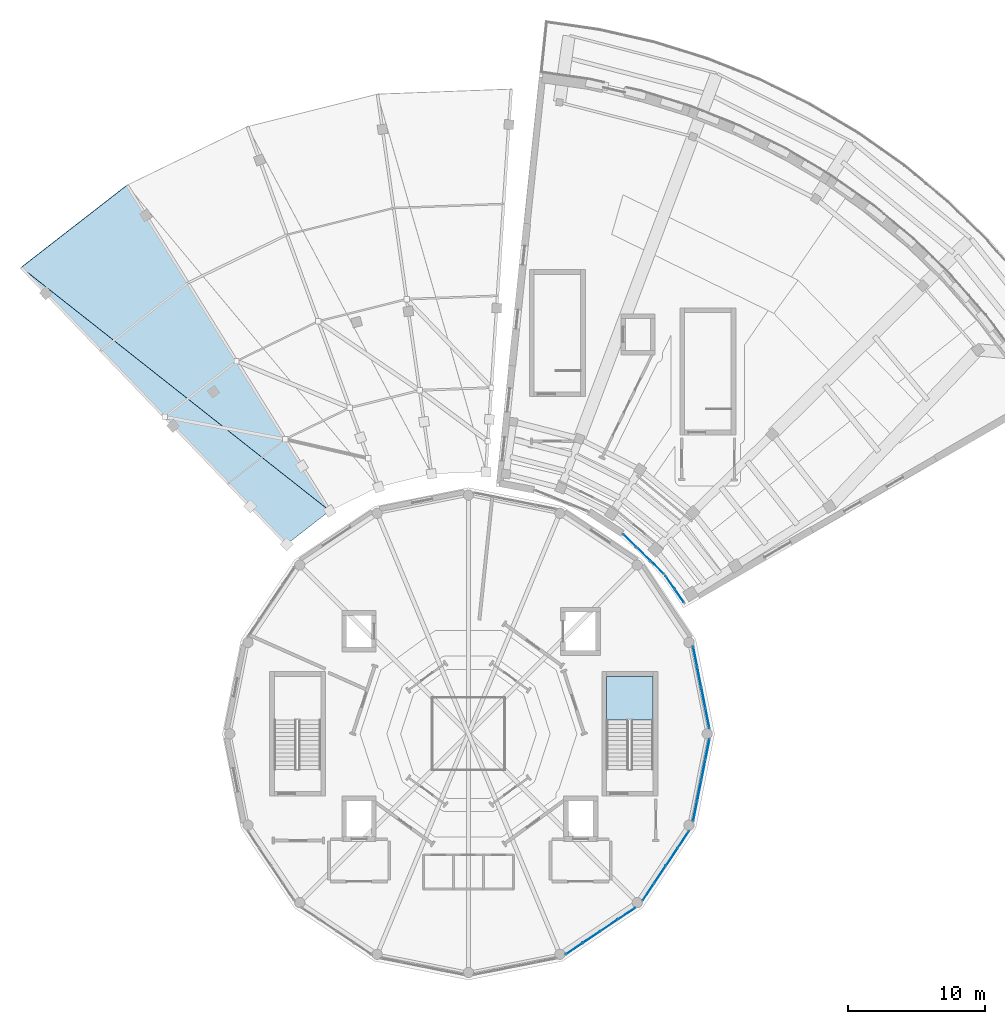
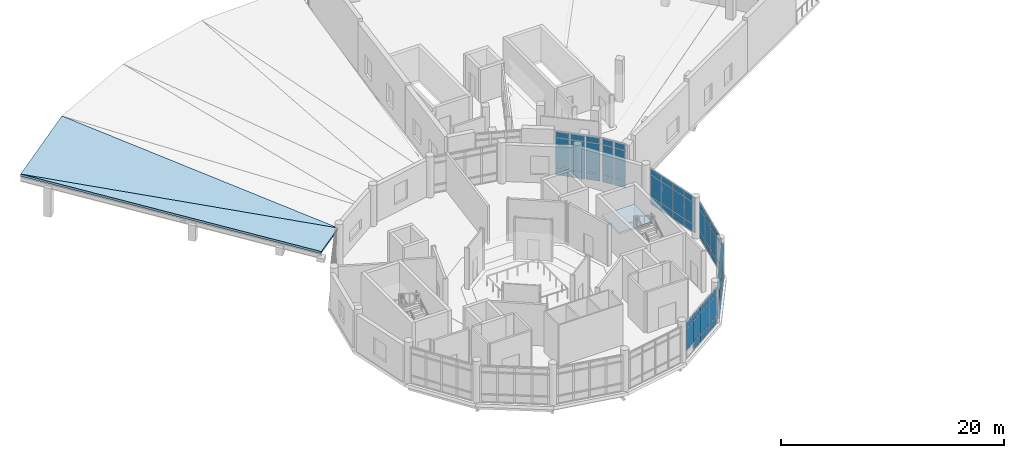
# One storey, part 17 of 27: 62 plates, 3 slabs, 7 elements without a shape of their own.
"""IFC4 building model written with IfcOpenShell, lengths in metres."""

import ifcopenshell
import ifcopenshell.guid

model = None  # the IFC model being written
_history = None  # IfcOwnerHistory: only IFC2X3 demands one
_inside = {}  # id of a spatial element -> (the spatial element, [elements in it])
_under = {}  # id of a project, library or spatial element -> (it, [spatial elements below it])
_declared = {}  # id of a project -> (the project, [libraries it declares])
_typed = {}  # id of a type object -> (the type object, [elements of that type])
_made_of = {}  # id of a material, layer set ... -> (it, [elements and type objects made of it])


def new_model(schema):
    """Start an empty IFC model of exactly this schema.

    Asked for "IFC4X3", IfcOpenShell would pick the latest addendum, in which some entities
    have other attributes; the version numbers below select the first issue.
    IFC2X3 requires an IfcOwnerHistory on every rooted entity: one is made here for all.
    """
    global model, _history
    if schema == "IFC4X3":
        model = ifcopenshell.file(schema_version=(4, 3, 0, 0))
    else:
        model = ifcopenshell.file(schema=schema)
    _inside.clear()
    _under.clear()
    _declared.clear()
    _typed.clear()
    _made_of.clear()
    _history = None
    if model.schema == "IFC2X3":
        org = make("IfcOrganization", Name="unknown")
        user = make(
            "IfcPersonAndOrganization",
            ThePerson=make("IfcPerson", FamilyName="unknown"),
            TheOrganization=org,
        )
        app = make(
            "IfcApplication",
            ApplicationDeveloper=org,
            Version="unknown",
            ApplicationFullName="unknown",
            ApplicationIdentifier="unknown",
        )
        _history = make(
            "IfcOwnerHistory",
            OwningUser=user,
            OwningApplication=app,
            ChangeAction="ADDED",
            CreationDate=0,
        )
    return model


def make(cls, **values):
    """One entity of the class cls with the attributes given. An attribute that is None is left unset."""
    return model.create_entity(
        cls, **{name: value for name, value in values.items() if value is not None}
    )


def rooted(cls, **values):
    """An entity with a GlobalId (a new one), such as an element, a storey or a relation."""
    return make(cls, GlobalId=ifcopenshell.guid.new(), OwnerHistory=_history, **values)


def si_unit(unit_type, name, prefix=None):
    """IfcSIUnit, for example si_unit("LENGTHUNIT", "METRE", prefix="MILLI")."""
    return make("IfcSIUnit", UnitType=unit_type, Prefix=prefix, Name=name)


def assignment(units):
    """IfcUnitAssignment: the units of a project."""
    return None if units is None else make("IfcUnitAssignment", Units=units)


def point(xyz):
    """IfcCartesianPoint."""
    return None if xyz is None else make("IfcCartesianPoint", Coordinates=xyz)


def direction(xyz):
    """IfcDirection."""
    return None if xyz is None else make("IfcDirection", DirectionRatios=xyz)


def frame(location, z_axis=None, x_axis=None):
    """IfcAxis2Placement3D, a coordinate frame: its origin and axes. An axis left out is left unset."""
    return make(
        "IfcAxis2Placement3D",
        Location=point(location),
        Axis=direction(z_axis),
        RefDirection=direction(x_axis),
    )


def frame_2d(location, x_axis=None):
    """IfcAxis2Placement2D, a coordinate frame in the plane: its origin and x axis."""
    return make(
        "IfcAxis2Placement2D", Location=point(location), RefDirection=direction(x_axis)
    )


def origin():
    """The frame at (0, 0, 0) with its axes left unset."""
    return frame((0.0, 0.0, 0.0))


def origin_2d():
    """The frame at (0, 0) in the plane with its x axis left unset."""
    return frame_2d((0.0, 0.0))


def place(relative_to, where):
    """IfcLocalPlacement: puts the frame where relative to a parent placement (None: the world)."""
    return make(
        "IfcLocalPlacement", PlacementRelTo=relative_to, RelativePlacement=where
    )


def context(
    kind, dimensions, precision=None, world=None, true_north=None, identifier=None
):
    """IfcGeometricRepresentationContext, for example the 3D "Model" context."""
    return make(
        "IfcGeometricRepresentationContext",
        ContextIdentifier=identifier,
        ContextType=kind,
        CoordinateSpaceDimension=dimensions,
        Precision=precision,
        WorldCoordinateSystem=world,
        TrueNorth=true_north,
    )


def subcontext(parent, identifier, kind, view, scale=None):
    """IfcGeometricRepresentationSubContext, for example "Body" below "Model"."""
    return make(
        "IfcGeometricRepresentationSubContext",
        ContextIdentifier=identifier,
        ContextType=kind,
        ParentContext=parent,
        TargetScale=scale,
        TargetView=view,
    )


def project(units=None, contexts=None):
    """IfcProject with its units and contexts."""
    return rooted(
        "IfcProject",
        Name="project",
        RepresentationContexts=contexts,
        UnitsInContext=assignment(units),
    )


def spatial(cls, under=None, at=None, **own):
    """A site, building, storey or space (cls), placed at a placement, below another one or the project."""
    s = rooted(cls, ObjectPlacement=at, **own)
    if under is not None:
        _under.setdefault(under.id(), (under, []))[1].append(s)
    return s


def polyline(points):
    """IfcPolyline through the points."""
    return make("IfcPolyline", Points=[point(p) for p in points])


def profile(cls, at=None, kind="AREA", **sizes):
    """A parametric profile (cls). Its sizes go by their IFC names, for example OverallWidth=200.0."""
    return make(cls, ProfileType=kind, Position=at, **sizes)


def rectangle(**sizes):
    """IfcRectangleProfileDef."""
    return profile("IfcRectangleProfileDef", **sizes)


def outline(outer, holes=None, kind="AREA"):
    """IfcArbitraryClosedProfileDef: a profile drawn as a closed curve; with holes, ...WithVoids."""
    if holes is None:
        return make("IfcArbitraryClosedProfileDef", ProfileType=kind, OuterCurve=outer)
    return make(
        "IfcArbitraryProfileDefWithVoids",
        ProfileType=kind,
        OuterCurve=outer,
        InnerCurves=holes,
    )


def extrude(swept, where, along, depth):
    """IfcExtrudedAreaSolid: the profile swept, set in the frame where, extruded along a direction by depth."""
    return make(
        "IfcExtrudedAreaSolid",
        SweptArea=swept,
        Position=where,
        ExtrudedDirection=direction(along),
        Depth=depth,
    )


def shape(context_of_items, identifier, shape_type, items):
    """IfcShapeRepresentation: the items that make up one representation, for example the "Body"."""
    return make(
        "IfcShapeRepresentation",
        ContextOfItems=context_of_items,
        RepresentationIdentifier=identifier,
        RepresentationType=shape_type,
        Items=items,
    )


def material(Name=None, Category=None):
    """IfcMaterial."""
    return make("IfcMaterial", Name=Name, Category=Category)


def layer(
    of_material, thickness, ventilated=None, Name=None, Category=None, Priority=None
):
    """IfcMaterialLayer: one layer of a wall or slab, of a material (None: an air gap)."""
    return make(
        "IfcMaterialLayer",
        Material=of_material,
        LayerThickness=thickness,
        IsVentilated=ventilated,
        Name=Name,
        Category=Category,
        Priority=Priority,
    )


def layer_set(layers, Name=None):
    """IfcMaterialLayerSet."""
    return make("IfcMaterialLayerSet", MaterialLayers=layers, LayerSetName=Name)


def made_of(thing, what):
    """Note that an element or type object is made of a material, layer set ...; save() writes the relation."""
    if what is not None:
        _made_of.setdefault(what.id(), (what, []))[1].append(thing)
    return thing


def type_object(cls, material=None, **own):
    """A type object (cls), such as IfcWallType, which elements share."""
    return made_of(rooted(cls, **own), material)


def element(
    cls,
    number,
    at=None,
    inside=None,
    cuts=None,
    type_object=None,
    material=None,
    context=None,
    identifier="Body",
    shape_type=None,
    held_by="IfcProductDefinitionShape",
    body=None,
    shapes=None,
    **own,
):
    """One element of the class cls, such as IfcWall. Its Tag is "e" and its number.

    at: its placement. inside: the storey or other place that contains it. cuts: it is an
    opening in that element (IfcRelVoidsElement). A single representation is given by context,
    identifier, shape_type and body (its items); several are given by shapes. held_by: the class
    of the entity that holds the representations. save() writes the other relations.
    """
    e = rooted(cls, Tag="e%d" % number, ObjectPlacement=at, **own)
    if body is not None:
        shapes = [shape(context, identifier, shape_type, body)]
    if shapes is not None:
        e.Representation = make(held_by, Representations=shapes)
    if inside is not None:
        _inside.setdefault(inside.id(), (inside, []))[1].append(e)
    if cuts is not None:
        rooted(
            "IfcRelVoidsElement", RelatingBuildingElement=cuts, RelatedOpeningElement=e
        )
    if type_object is not None:
        _typed.setdefault(type_object.id(), (type_object, []))[1].append(e)
    return made_of(e, material)


def aggregate(whole, parts):
    """IfcRelAggregates: a whole, such as a stair, and the parts it consists of."""
    return rooted("IfcRelAggregates", RelatingObject=whole, RelatedObjects=parts)


def save(model, path):
    """Write the relations noted so far, then the file.

    IfcRelAggregates (storeys below a building ...), IfcRelContainedInSpatialStructure (elements
    in a storey), IfcRelDefinesByType, IfcRelAssociatesMaterial and IfcRelDeclares: one each for
    every whole, place, type object, material and project.
    """
    for whole, parts in _under.values():
        aggregate(whole, parts)
    for where, things in _inside.values():
        rooted(
            "IfcRelContainedInSpatialStructure",
            RelatedElements=things,
            RelatingStructure=where,
        )
    for kind, things in _typed.values():
        rooted("IfcRelDefinesByType", RelatedObjects=things, RelatingType=kind)
    for what, things in _made_of.values():
        rooted("IfcRelAssociatesMaterial", RelatedObjects=things, RelatingMaterial=what)
    for by, libraries in _declared.values():
        rooted("IfcRelDeclares", RelatingContext=by, RelatedDefinitions=libraries)
    model.write(path)


model = new_model("IFC4")

# Units and contexts
model_context = context("Model", 3, precision=1e-05, world=origin(), true_north=direction((0.0, 1.0)))
body_context = subcontext(model_context, "Body", "Model", "MODEL_VIEW")
ifc_project = project(units=[si_unit("LENGTHUNIT", "METRE"), si_unit("AREAUNIT", "SQUARE_METRE"), si_unit("VOLUMEUNIT", "CUBIC_METRE"), si_unit("PLANEANGLEUNIT", "RADIAN"), si_unit("MASSUNIT", "GRAM", prefix="KILO")], contexts=[model_context])

# Site, building, storey
site_placement = place(None, origin())
site = spatial("IfcSite", under=ifc_project, at=site_placement, CompositionType="ELEMENT")
building_placement = place(site_placement, origin())
building = spatial("IfcBuilding", under=site, at=building_placement, Name="Soyqirgoq Riverine Aquarium", CompositionType="ELEMENT")
storey_placement = place(building_placement, frame((0.0, 0.0, 19.800048828125)))
storey = spatial("IfcBuildingStorey", under=building, at=storey_placement, Name="L05", CompositionType="ELEMENT", Elevation=19.800048828125)

# Curtain wall, plates
ifc_material_1 = material(Name="Anodised aluminium thermally broken triple low-E glazing", Category="aluminium")
curtain_wall_type_1 = type_object("IfcCurtainWallType", Name="CW_DrumGallery_Unitised", PredefinedType="NOTDEFINED", material=ifc_material_1)
curtain_wall_1_placement = place(storey_placement, origin())
curtain_wall_1 = element("IfcCurtainWall", 1, at=curtain_wall_1_placement, inside=storey, type_object=curtain_wall_type_1, Name="V1 L05 Curtain Wall 005", PredefinedType="NOTDEFINED")
ifc_material_2 = material(Name="Triple insulated laminated low-E glass", Category="glass")
ifc_layer_1 = layer(ifc_material_2, 0.0458984375)
ifc_layer_set_1 = layer_set([ifc_layer_1], Name="Triple insulated laminated low-E glass")
plate_type = type_object("IfcPlateType", Name="CWGlazedPanel_46", PredefinedType="CURTAIN_PANEL", material=ifc_layer_set_1)
plate_1_placement = place(storey_placement, frame((73.47607421875, 58.126220703125, 0.074951171875), z_axis=(0.0, 0.0, 1.0), x_axis=(-0.19507834152, 0.980787663396, 0.0)))
plate_1 = element("IfcPlate", 2, at=plate_1_placement, type_object=plate_type, Name="CW-01 panel 1.1", PredefinedType="CURTAIN_PANEL", context=body_context, shape_type="SweptSolid", body=[
    extrude(rectangle(XDim=1.449951171875, YDim=0.0458984375, at=origin_2d()), origin(), (0.0, 0.0, 1.0), 0.78759765625),
])
plate_2_placement = place(storey_placement, frame((73.47607421875, 58.126220703125, 0.9375), z_axis=(0.0, 0.0, 1.0), x_axis=(-0.19507834152, 0.980787663396, 0.0)))
plate_2 = element("IfcPlate", 3, at=plate_2_placement, type_object=plate_type, Name="CW-01 panel 1.2", PredefinedType="CURTAIN_PANEL", context=body_context, shape_type="SweptSolid", body=[
    extrude(rectangle(XDim=1.449951171875, YDim=0.0458984375, at=origin_2d()), origin(), (0.0, 0.0, 1.0), 2.324951171875),
])
plate_3_placement = place(storey_placement, frame((73.47607421875, 58.126220703125, 3.33740234375), z_axis=(0.0, 0.0, 1.0), x_axis=(-0.19507834152, 0.980787663396, 0.0)))
plate_3 = element("IfcPlate", 4, at=plate_3_placement, type_object=plate_type, Name="CW-01 panel 1.3", PredefinedType="CURTAIN_PANEL", context=body_context, shape_type="SweptSolid", body=[
    extrude(rectangle(XDim=1.449951171875, YDim=0.0458984375, at=origin_2d()), origin(), (0.0, 0.0, 1.0), 0.58740234375),
])
plate_4_placement = place(storey_placement, frame((73.17724609375, 59.6279296875, 0.074951171875), z_axis=(0.0, 0.0, 1.0), x_axis=(-0.19507834152, 0.980787663396, 0.0)))
plate_4 = element("IfcPlate", 5, at=plate_4_placement, type_object=plate_type, Name="CW-01 panel 2.1", PredefinedType="CURTAIN_PANEL", context=body_context, shape_type="SweptSolid", body=[
    extrude(rectangle(XDim=1.482421875, YDim=0.0458984375, at=origin_2d()), origin(), (0.0, 0.0, 1.0), 0.78759765625),
])
plate_5_placement = place(storey_placement, frame((73.17724609375, 59.6279296875, 0.9375), z_axis=(0.0, 0.0, 1.0), x_axis=(-0.19507834152, 0.980787663396, 0.0)))
plate_5 = element("IfcPlate", 6, at=plate_5_placement, type_object=plate_type, Name="CW-01 panel 2.2", PredefinedType="CURTAIN_PANEL", context=body_context, shape_type="SweptSolid", body=[
    extrude(rectangle(XDim=1.482421875, YDim=0.0458984375, at=origin_2d()), origin(), (0.0, 0.0, 1.0), 2.324951171875),
])
plate_6_placement = place(storey_placement, frame((73.17724609375, 59.6279296875, 3.33740234375), z_axis=(0.0, 0.0, 1.0), x_axis=(-0.19507834152, 0.980787663396, 0.0)))
plate_6 = element("IfcPlate", 7, at=plate_6_placement, type_object=plate_type, Name="CW-01 panel 2.3", PredefinedType="CURTAIN_PANEL", context=body_context, shape_type="SweptSolid", body=[
    extrude(rectangle(XDim=1.482421875, YDim=0.0458984375, at=origin_2d()), origin(), (0.0, 0.0, 1.0), 0.58740234375),
])
plate_7_placement = place(storey_placement, frame((72.87548828125, 61.1455078125, 0.074951171875), z_axis=(0.0, 0.0, 1.0), x_axis=(-0.19507834152, 0.980787663396, 0.0)))
plate_7 = element("IfcPlate", 8, at=plate_7_placement, type_object=plate_type, Name="CW-01 panel 3.1", PredefinedType="CURTAIN_PANEL", context=body_context, shape_type="SweptSolid", body=[
    extrude(rectangle(XDim=1.482421875, YDim=0.0458984375, at=origin_2d()), origin(), (0.0, 0.0, 1.0), 0.78759765625),
])
plate_8_placement = place(storey_placement, frame((72.87548828125, 61.1455078125, 0.9375), z_axis=(0.0, 0.0, 1.0), x_axis=(-0.19507834152, 0.980787663396, 0.0)))
plate_8 = element("IfcPlate", 9, at=plate_8_placement, type_object=plate_type, Name="CW-01 panel 3.2", PredefinedType="CURTAIN_PANEL", context=body_context, shape_type="SweptSolid", body=[
    extrude(rectangle(XDim=1.482421875, YDim=0.0458984375, at=origin_2d()), origin(), (0.0, 0.0, 1.0), 2.324951171875),
])
plate_9_placement = place(storey_placement, frame((72.87548828125, 61.1455078125, 3.33740234375), z_axis=(0.0, 0.0, 1.0), x_axis=(-0.19507834152, 0.980787663396, 0.0)))
plate_9 = element("IfcPlate", 10, at=plate_9_placement, type_object=plate_type, Name="CW-01 panel 3.3", PredefinedType="CURTAIN_PANEL", context=body_context, shape_type="SweptSolid", body=[
    extrude(rectangle(XDim=1.482421875, YDim=0.0458984375, at=origin_2d()), origin(), (0.0, 0.0, 1.0), 0.58740234375),
])
plate_10_placement = place(storey_placement, frame((72.57666015625, 62.6474609375, 0.074951171875), z_axis=(0.0, 0.0, 1.0), x_axis=(-0.19507834152, 0.980787663396, 0.0)))
plate_10 = element("IfcPlate", 11, at=plate_10_placement, type_object=plate_type, Name="CW-01 panel 4.1", PredefinedType="CURTAIN_PANEL", context=body_context, shape_type="SweptSolid", body=[
    extrude(rectangle(XDim=1.449951171875, YDim=0.0458984375, at=origin_2d()), origin(), (0.0, 0.0, 1.0), 0.78759765625),
])
plate_11_placement = place(storey_placement, frame((72.57666015625, 62.6474609375, 0.9375), z_axis=(0.0, 0.0, 1.0), x_axis=(-0.19507834152, 0.980787663396, 0.0)))
plate_11 = element("IfcPlate", 12, at=plate_11_placement, type_object=plate_type, Name="CW-01 panel 4.2", PredefinedType="CURTAIN_PANEL", context=body_context, shape_type="SweptSolid", body=[
    extrude(rectangle(XDim=1.449951171875, YDim=0.0458984375, at=origin_2d()), origin(), (0.0, 0.0, 1.0), 2.324951171875),
])
plate_12_placement = place(storey_placement, frame((72.57666015625, 62.6474609375, 3.33740234375), z_axis=(0.0, 0.0, 1.0), x_axis=(-0.19507834152, 0.980787663396, 0.0)))
plate_12 = element("IfcPlate", 13, at=plate_12_placement, type_object=plate_type, Name="CW-01 panel 4.3", PredefinedType="CURTAIN_PANEL", context=body_context, shape_type="SweptSolid", body=[
    extrude(rectangle(XDim=1.449951171875, YDim=0.0458984375, at=origin_2d()), origin(), (0.0, 0.0, 1.0), 0.58740234375),
])
aggregate(curtain_wall_1, [plate_1, plate_2, plate_3, plate_4, plate_5, plate_6, plate_7, plate_8, plate_9, plate_10, plate_11, plate_12])

curtain_wall_2_placement = place(storey_placement, origin())
curtain_wall_2 = element("IfcCurtainWall", 14, at=curtain_wall_2_placement, inside=storey, type_object=curtain_wall_type_1, Name="V1 L05 Curtain Wall 064", PredefinedType="NOTDEFINED")
plate_13_placement = place(storey_placement, frame((63.72802734375, 41.28515625, 0.9375), z_axis=(0.0, 0.0, 1.0), x_axis=(0.831475717779, 0.55556109542, 0.0)))
plate_13 = element("IfcPlate", 15, at=plate_13_placement, type_object=plate_type, Name="CW-01 panel 1.2", PredefinedType="CURTAIN_PANEL", context=body_context, shape_type="SweptSolid", body=[
    extrude(rectangle(XDim=1.449951171875, YDim=0.0458984375, at=origin_2d()), origin(), (0.0, 0.0, 1.0), 2.324951171875),
])
plate_14_placement = place(storey_placement, frame((63.72802734375, 41.28515625, 3.33740234375), z_axis=(0.0, 0.0, 1.0), x_axis=(0.831475717779, 0.55556109542, 0.0)))
plate_14 = element("IfcPlate", 16, at=plate_14_placement, type_object=plate_type, Name="CW-01 panel 1.3", PredefinedType="CURTAIN_PANEL", context=body_context, shape_type="SweptSolid", body=[
    extrude(rectangle(XDim=1.449951171875, YDim=0.0458984375, at=origin_2d()), origin(), (0.0, 0.0, 1.0), 0.58740234375),
])
plate_15_placement = place(storey_placement, frame((65.001220703125, 42.135986328125, 0.074951171875), z_axis=(0.0, 0.0, 1.0), x_axis=(0.831475717779, 0.55556109542, 0.0)))
plate_15 = element("IfcPlate", 17, at=plate_15_placement, type_object=plate_type, Name="CW-01 panel 2.1", PredefinedType="CURTAIN_PANEL", context=body_context, shape_type="SweptSolid", body=[
    extrude(rectangle(XDim=1.482421875, YDim=0.0458984375, at=origin_2d()), origin(), (0.0, 0.0, 1.0), 0.78759765625),
])
plate_16_placement = place(storey_placement, frame((65.001220703125, 42.135986328125, 0.9375), z_axis=(0.0, 0.0, 1.0), x_axis=(0.831475717779, 0.55556109542, 0.0)))
plate_16 = element("IfcPlate", 18, at=plate_16_placement, type_object=plate_type, Name="CW-01 panel 2.2", PredefinedType="CURTAIN_PANEL", context=body_context, shape_type="SweptSolid", body=[
    extrude(rectangle(XDim=1.482421875, YDim=0.0458984375, at=origin_2d()), origin(), (0.0, 0.0, 1.0), 2.324951171875),
])
plate_17_placement = place(storey_placement, frame((65.001220703125, 42.135986328125, 3.33740234375), z_axis=(0.0, 0.0, 1.0), x_axis=(0.831475717779, 0.55556109542, 0.0)))
plate_17 = element("IfcPlate", 19, at=plate_17_placement, type_object=plate_type, Name="CW-01 panel 2.3", PredefinedType="CURTAIN_PANEL", context=body_context, shape_type="SweptSolid", body=[
    extrude(rectangle(XDim=1.482421875, YDim=0.0458984375, at=origin_2d()), origin(), (0.0, 0.0, 1.0), 0.58740234375),
])
plate_18_placement = place(storey_placement, frame((66.287841796875, 42.99560546875, 0.074951171875), z_axis=(0.0, 0.0, 1.0), x_axis=(0.831475717779, 0.55556109542, 0.0)))
plate_18 = element("IfcPlate", 20, at=plate_18_placement, type_object=plate_type, Name="CW-01 panel 3.1", PredefinedType="CURTAIN_PANEL", context=body_context, shape_type="SweptSolid", body=[
    extrude(rectangle(XDim=1.482421875, YDim=0.0458984375, at=origin_2d()), origin(), (0.0, 0.0, 1.0), 0.78759765625),
])
plate_19_placement = place(storey_placement, frame((66.287841796875, 42.99560546875, 0.9375), z_axis=(0.0, 0.0, 1.0), x_axis=(0.831475717779, 0.55556109542, 0.0)))
plate_19 = element("IfcPlate", 21, at=plate_19_placement, type_object=plate_type, Name="CW-01 panel 3.2", PredefinedType="CURTAIN_PANEL", context=body_context, shape_type="SweptSolid", body=[
    extrude(rectangle(XDim=1.482421875, YDim=0.0458984375, at=origin_2d()), origin(), (0.0, 0.0, 1.0), 2.324951171875),
])
plate_20_placement = place(storey_placement, frame((66.287841796875, 42.99560546875, 3.33740234375), z_axis=(0.0, 0.0, 1.0), x_axis=(0.831475717779, 0.55556109542, 0.0)))
plate_20 = element("IfcPlate", 22, at=plate_20_placement, type_object=plate_type, Name="CW-01 panel 3.3", PredefinedType="CURTAIN_PANEL", context=body_context, shape_type="SweptSolid", body=[
    extrude(rectangle(XDim=1.482421875, YDim=0.0458984375, at=origin_2d()), origin(), (0.0, 0.0, 1.0), 0.58740234375),
])
plate_21_placement = place(storey_placement, frame((67.56103515625, 43.84619140625, 0.074951171875), z_axis=(0.0, 0.0, 1.0), x_axis=(0.831475717779, 0.55556109542, 0.0)))
plate_21 = element("IfcPlate", 23, at=plate_21_placement, type_object=plate_type, Name="CW-01 panel 4.1", PredefinedType="CURTAIN_PANEL", context=body_context, shape_type="SweptSolid", body=[
    extrude(rectangle(XDim=1.449951171875, YDim=0.0458984375, at=origin_2d()), origin(), (0.0, 0.0, 1.0), 0.78759765625),
])
plate_22_placement = place(storey_placement, frame((67.56103515625, 43.84619140625, 0.9375), z_axis=(0.0, 0.0, 1.0), x_axis=(0.831475717779, 0.55556109542, 0.0)))
plate_22 = element("IfcPlate", 24, at=plate_22_placement, type_object=plate_type, Name="CW-01 panel 4.2", PredefinedType="CURTAIN_PANEL", context=body_context, shape_type="SweptSolid", body=[
    extrude(rectangle(XDim=1.449951171875, YDim=0.0458984375, at=origin_2d()), origin(), (0.0, 0.0, 1.0), 2.324951171875),
])
plate_23_placement = place(storey_placement, frame((67.56103515625, 43.84619140625, 3.33740234375), z_axis=(0.0, 0.0, 1.0), x_axis=(0.831475717779, 0.55556109542, 0.0)))
plate_23 = element("IfcPlate", 25, at=plate_23_placement, type_object=plate_type, Name="CW-01 panel 4.3", PredefinedType="CURTAIN_PANEL", context=body_context, shape_type="SweptSolid", body=[
    extrude(rectangle(XDim=1.449951171875, YDim=0.0458984375, at=origin_2d()), origin(), (0.0, 0.0, 1.0), 0.58740234375),
])
aggregate(curtain_wall_2, [plate_13, plate_14, plate_15, plate_16, plate_17, plate_18, plate_19, plate_20, plate_21, plate_22, plate_23])

curtain_wall_3_placement = place(storey_placement, origin())
curtain_wall_3 = element("IfcCurtainWall", 26, at=curtain_wall_3_placement, inside=storey, type_object=curtain_wall_type_1, Name="V1 L05 Curtain Wall 069", PredefinedType="NOTDEFINED")
plate_24_placement = place(storey_placement, frame((69.15380859375, 45.43896484375, 0.074951171875), z_axis=(0.0, 0.0, 1.0), x_axis=(0.55556109542, 0.831475717779, 0.0)))
plate_24 = element("IfcPlate", 27, at=plate_24_placement, type_object=plate_type, Name="CW-01 panel 1.1", PredefinedType="CURTAIN_PANEL", context=body_context, shape_type="SweptSolid", body=[
    extrude(rectangle(XDim=1.449951171875, YDim=0.0458984375, at=origin_2d()), origin(), (0.0, 0.0, 1.0), 0.78759765625),
])
plate_25_placement = place(storey_placement, frame((69.15380859375, 45.43896484375, 0.9375), z_axis=(0.0, 0.0, 1.0), x_axis=(0.55556109542, 0.831475717779, 0.0)))
plate_25 = element("IfcPlate", 28, at=plate_25_placement, type_object=plate_type, Name="CW-01 panel 1.2", PredefinedType="CURTAIN_PANEL", context=body_context, shape_type="SweptSolid", body=[
    extrude(rectangle(XDim=1.449951171875, YDim=0.0458984375, at=origin_2d()), origin(), (0.0, 0.0, 1.0), 2.324951171875),
])
plate_26_placement = place(storey_placement, frame((69.15380859375, 45.43896484375, 3.33740234375), z_axis=(0.0, 0.0, 1.0), x_axis=(0.55556109542, 0.831475717779, 0.0)))
plate_26 = element("IfcPlate", 29, at=plate_26_placement, type_object=plate_type, Name="CW-01 panel 1.3", PredefinedType="CURTAIN_PANEL", context=body_context, shape_type="SweptSolid", body=[
    extrude(rectangle(XDim=1.449951171875, YDim=0.0458984375, at=origin_2d()), origin(), (0.0, 0.0, 1.0), 0.58740234375),
])
plate_27_placement = place(storey_placement, frame((70.00439453125, 46.712158203125, 0.074951171875), z_axis=(0.0, 0.0, 1.0), x_axis=(0.55556109542, 0.831475717779, 0.0)))
plate_27 = element("IfcPlate", 30, at=plate_27_placement, type_object=plate_type, Name="CW-01 panel 2.1", PredefinedType="CURTAIN_PANEL", context=body_context, shape_type="SweptSolid", body=[
    extrude(rectangle(XDim=1.482421875, YDim=0.0458984375, at=origin_2d()), origin(), (0.0, 0.0, 1.0), 0.78759765625),
])
plate_28_placement = place(storey_placement, frame((70.00439453125, 46.712158203125, 0.9375), z_axis=(0.0, 0.0, 1.0), x_axis=(0.55556109542, 0.831475717779, 0.0)))
plate_28 = element("IfcPlate", 31, at=plate_28_placement, type_object=plate_type, Name="CW-01 panel 2.2", PredefinedType="CURTAIN_PANEL", context=body_context, shape_type="SweptSolid", body=[
    extrude(rectangle(XDim=1.482421875, YDim=0.0458984375, at=origin_2d()), origin(), (0.0, 0.0, 1.0), 2.324951171875),
])
plate_29_placement = place(storey_placement, frame((70.00439453125, 46.712158203125, 3.33740234375), z_axis=(0.0, 0.0, 1.0), x_axis=(0.55556109542, 0.831475717779, 0.0)))
plate_29 = element("IfcPlate", 32, at=plate_29_placement, type_object=plate_type, Name="CW-01 panel 2.3", PredefinedType="CURTAIN_PANEL", context=body_context, shape_type="SweptSolid", body=[
    extrude(rectangle(XDim=1.482421875, YDim=0.0458984375, at=origin_2d()), origin(), (0.0, 0.0, 1.0), 0.58740234375),
])
plate_30_placement = place(storey_placement, frame((70.864013671875, 47.998779296875, 0.074951171875), z_axis=(0.0, 0.0, 1.0), x_axis=(0.55556109542, 0.831475717779, 0.0)))
plate_30 = element("IfcPlate", 33, at=plate_30_placement, type_object=plate_type, Name="CW-01 panel 3.1", PredefinedType="CURTAIN_PANEL", context=body_context, shape_type="SweptSolid", body=[
    extrude(rectangle(XDim=1.482421875, YDim=0.0458984375, at=origin_2d()), origin(), (0.0, 0.0, 1.0), 0.78759765625),
])
plate_31_placement = place(storey_placement, frame((70.864013671875, 47.998779296875, 0.9375), z_axis=(0.0, 0.0, 1.0), x_axis=(0.55556109542, 0.831475717779, 0.0)))
plate_31 = element("IfcPlate", 34, at=plate_31_placement, type_object=plate_type, Name="CW-01 panel 3.2", PredefinedType="CURTAIN_PANEL", context=body_context, shape_type="SweptSolid", body=[
    extrude(rectangle(XDim=1.482421875, YDim=0.0458984375, at=origin_2d()), origin(), (0.0, 0.0, 1.0), 2.324951171875),
])
plate_32_placement = place(storey_placement, frame((70.864013671875, 47.998779296875, 3.33740234375), z_axis=(0.0, 0.0, 1.0), x_axis=(0.55556109542, 0.831475717779, 0.0)))
plate_32 = element("IfcPlate", 35, at=plate_32_placement, type_object=plate_type, Name="CW-01 panel 3.3", PredefinedType="CURTAIN_PANEL", context=body_context, shape_type="SweptSolid", body=[
    extrude(rectangle(XDim=1.482421875, YDim=0.0458984375, at=origin_2d()), origin(), (0.0, 0.0, 1.0), 0.58740234375),
])
plate_33_placement = place(storey_placement, frame((71.71484375, 49.27197265625, 0.074951171875), z_axis=(0.0, 0.0, 1.0), x_axis=(0.55556109542, 0.831475717779, 0.0)))
plate_33 = element("IfcPlate", 36, at=plate_33_placement, type_object=plate_type, Name="CW-01 panel 4.1", PredefinedType="CURTAIN_PANEL", context=body_context, shape_type="SweptSolid", body=[
    extrude(rectangle(XDim=1.449951171875, YDim=0.0458984375, at=origin_2d()), origin(), (0.0, 0.0, 1.0), 0.78759765625),
])
plate_34_placement = place(storey_placement, frame((71.71484375, 49.27197265625, 0.9375), z_axis=(0.0, 0.0, 1.0), x_axis=(0.55556109542, 0.831475717779, 0.0)))
plate_34 = element("IfcPlate", 37, at=plate_34_placement, type_object=plate_type, Name="CW-01 panel 4.2", PredefinedType="CURTAIN_PANEL", context=body_context, shape_type="SweptSolid", body=[
    extrude(rectangle(XDim=1.449951171875, YDim=0.0458984375, at=origin_2d()), origin(), (0.0, 0.0, 1.0), 2.324951171875),
])
plate_35_placement = place(storey_placement, frame((71.71484375, 49.27197265625, 3.33740234375), z_axis=(0.0, 0.0, 1.0), x_axis=(0.55556109542, 0.831475717779, 0.0)))
plate_35 = element("IfcPlate", 38, at=plate_35_placement, type_object=plate_type, Name="CW-01 panel 4.3", PredefinedType="CURTAIN_PANEL", context=body_context, shape_type="SweptSolid", body=[
    extrude(rectangle(XDim=1.449951171875, YDim=0.0458984375, at=origin_2d()), origin(), (0.0, 0.0, 1.0), 0.58740234375),
])
aggregate(curtain_wall_3, [plate_24, plate_25, plate_26, plate_27, plate_28, plate_29, plate_30, plate_31, plate_32, plate_33, plate_34, plate_35])

curtain_wall_4_placement = place(storey_placement, origin())
curtain_wall_4 = element("IfcCurtainWall", 39, at=curtain_wall_4_placement, inside=storey, type_object=curtain_wall_type_1, Name="V1 L05 Curtain Wall 076", PredefinedType="NOTDEFINED")
plate_36_placement = place(storey_placement, frame((72.57666015625, 51.3525390625, 0.074951171875), z_axis=(0.0, 0.0, 1.0), x_axis=(0.19507834152, 0.980787663396, 0.0)))
plate_36 = element("IfcPlate", 40, at=plate_36_placement, type_object=plate_type, Name="CW-01 panel 1.1", PredefinedType="CURTAIN_PANEL", context=body_context, shape_type="SweptSolid", body=[
    extrude(rectangle(XDim=1.449951171875, YDim=0.0458984375, at=origin_2d()), origin(), (0.0, 0.0, 1.0), 0.78759765625),
])
plate_37_placement = place(storey_placement, frame((72.57666015625, 51.3525390625, 0.9375), z_axis=(0.0, 0.0, 1.0), x_axis=(0.19507834152, 0.980787663396, 0.0)))
plate_37 = element("IfcPlate", 41, at=plate_37_placement, type_object=plate_type, Name="CW-01 panel 1.2", PredefinedType="CURTAIN_PANEL", context=body_context, shape_type="SweptSolid", body=[
    extrude(rectangle(XDim=1.449951171875, YDim=0.0458984375, at=origin_2d()), origin(), (0.0, 0.0, 1.0), 2.324951171875),
])
plate_38_placement = place(storey_placement, frame((72.57666015625, 51.3525390625, 3.33740234375), z_axis=(0.0, 0.0, 1.0), x_axis=(0.19507834152, 0.980787663396, 0.0)))
plate_38 = element("IfcPlate", 42, at=plate_38_placement, type_object=plate_type, Name="CW-01 panel 1.3", PredefinedType="CURTAIN_PANEL", context=body_context, shape_type="SweptSolid", body=[
    extrude(rectangle(XDim=1.449951171875, YDim=0.0458984375, at=origin_2d()), origin(), (0.0, 0.0, 1.0), 0.58740234375),
])
plate_39_placement = place(storey_placement, frame((72.87548828125, 52.8544921875, 0.074951171875), z_axis=(0.0, 0.0, 1.0), x_axis=(0.19507834152, 0.980787663396, 0.0)))
plate_39 = element("IfcPlate", 43, at=plate_39_placement, type_object=plate_type, Name="CW-01 panel 2.1", PredefinedType="CURTAIN_PANEL", context=body_context, shape_type="SweptSolid", body=[
    extrude(rectangle(XDim=1.482421875, YDim=0.0458984375, at=origin_2d()), origin(), (0.0, 0.0, 1.0), 0.78759765625),
])
plate_40_placement = place(storey_placement, frame((72.87548828125, 52.8544921875, 0.9375), z_axis=(0.0, 0.0, 1.0), x_axis=(0.19507834152, 0.980787663396, 0.0)))
plate_40 = element("IfcPlate", 44, at=plate_40_placement, type_object=plate_type, Name="CW-01 panel 2.2", PredefinedType="CURTAIN_PANEL", context=body_context, shape_type="SweptSolid", body=[
    extrude(rectangle(XDim=1.482421875, YDim=0.0458984375, at=origin_2d()), origin(), (0.0, 0.0, 1.0), 2.324951171875),
])
plate_41_placement = place(storey_placement, frame((72.87548828125, 52.8544921875, 3.33740234375), z_axis=(0.0, 0.0, 1.0), x_axis=(0.19507834152, 0.980787663396, 0.0)))
plate_41 = element("IfcPlate", 45, at=plate_41_placement, type_object=plate_type, Name="CW-01 panel 2.3", PredefinedType="CURTAIN_PANEL", context=body_context, shape_type="SweptSolid", body=[
    extrude(rectangle(XDim=1.482421875, YDim=0.0458984375, at=origin_2d()), origin(), (0.0, 0.0, 1.0), 0.58740234375),
])
plate_42_placement = place(storey_placement, frame((73.17724609375, 54.3720703125, 0.074951171875), z_axis=(0.0, 0.0, 1.0), x_axis=(0.19507834152, 0.980787663396, 0.0)))
plate_42 = element("IfcPlate", 46, at=plate_42_placement, type_object=plate_type, Name="CW-01 panel 3.1", PredefinedType="CURTAIN_PANEL", context=body_context, shape_type="SweptSolid", body=[
    extrude(rectangle(XDim=1.482421875, YDim=0.0458984375, at=origin_2d()), origin(), (0.0, 0.0, 1.0), 0.78759765625),
])
plate_43_placement = place(storey_placement, frame((73.17724609375, 54.3720703125, 0.9375), z_axis=(0.0, 0.0, 1.0), x_axis=(0.19507834152, 0.980787663396, 0.0)))
plate_43 = element("IfcPlate", 47, at=plate_43_placement, type_object=plate_type, Name="CW-01 panel 3.2", PredefinedType="CURTAIN_PANEL", context=body_context, shape_type="SweptSolid", body=[
    extrude(rectangle(XDim=1.482421875, YDim=0.0458984375, at=origin_2d()), origin(), (0.0, 0.0, 1.0), 2.324951171875),
])
plate_44_placement = place(storey_placement, frame((73.17724609375, 54.3720703125, 3.33740234375), z_axis=(0.0, 0.0, 1.0), x_axis=(0.19507834152, 0.980787663396, 0.0)))
plate_44 = element("IfcPlate", 48, at=plate_44_placement, type_object=plate_type, Name="CW-01 panel 3.3", PredefinedType="CURTAIN_PANEL", context=body_context, shape_type="SweptSolid", body=[
    extrude(rectangle(XDim=1.482421875, YDim=0.0458984375, at=origin_2d()), origin(), (0.0, 0.0, 1.0), 0.58740234375),
])
plate_45_placement = place(storey_placement, frame((73.47607421875, 55.873779296875, 0.074951171875), z_axis=(0.0, 0.0, 1.0), x_axis=(0.19507834152, 0.980787663396, 0.0)))
plate_45 = element("IfcPlate", 49, at=plate_45_placement, type_object=plate_type, Name="CW-01 panel 4.1", PredefinedType="CURTAIN_PANEL", context=body_context, shape_type="SweptSolid", body=[
    extrude(rectangle(XDim=1.449951171875, YDim=0.0458984375, at=origin_2d()), origin(), (0.0, 0.0, 1.0), 0.78759765625),
])
plate_46_placement = place(storey_placement, frame((73.47607421875, 55.873779296875, 0.9375), z_axis=(0.0, 0.0, 1.0), x_axis=(0.19507834152, 0.980787663396, 0.0)))
plate_46 = element("IfcPlate", 50, at=plate_46_placement, type_object=plate_type, Name="CW-01 panel 4.2", PredefinedType="CURTAIN_PANEL", context=body_context, shape_type="SweptSolid", body=[
    extrude(rectangle(XDim=1.449951171875, YDim=0.0458984375, at=origin_2d()), origin(), (0.0, 0.0, 1.0), 2.324951171875),
])
plate_47_placement = place(storey_placement, frame((73.47607421875, 55.873779296875, 3.33740234375), z_axis=(0.0, 0.0, 1.0), x_axis=(0.19507834152, 0.980787663396, 0.0)))
plate_47 = element("IfcPlate", 51, at=plate_47_placement, type_object=plate_type, Name="CW-01 panel 4.3", PredefinedType="CURTAIN_PANEL", context=body_context, shape_type="SweptSolid", body=[
    extrude(rectangle(XDim=1.449951171875, YDim=0.0458984375, at=origin_2d()), origin(), (0.0, 0.0, 1.0), 0.58740234375),
])
aggregate(curtain_wall_4, [plate_36, plate_37, plate_38, plate_39, plate_40, plate_41, plate_42, plate_43, plate_44, plate_45, plate_46, plate_47])

ifc_material_3 = material(Name="Anodised aluminium thermally broken double low-E glazing", Category="aluminium")
curtain_wall_type_2 = type_object("IfcCurtainWallType", Name="CW_Wedge_NorthBay", PredefinedType="NOTDEFINED", material=ifc_material_3)
curtain_wall_5_placement = place(storey_placement, origin())
curtain_wall_5 = element("IfcCurtainWall", 52, at=curtain_wall_5_placement, inside=storey, type_object=curtain_wall_type_2, Name="V5 L05 Curtain Wall 101", PredefinedType="NOTDEFINED")
plate_48_placement = place(storey_placement, frame((69.80224609375, 69.1611328125, 0.074951171875), z_axis=(0.0, 0.0, 1.0), x_axis=(-0.716302658304, 0.697789725997, 0.0)))
plate_48 = element("IfcPlate", 53, at=plate_48_placement, type_object=plate_type, Name="CW-03 panel 1.1", PredefinedType="CURTAIN_PANEL", context=body_context, shape_type="SweptSolid", body=[
    extrude(rectangle(XDim=1.300537109375, YDim=0.0458984375, at=origin_2d()), origin(), (0.0, 0.0, 1.0), 0.78759765625),
])
plate_49_placement = place(storey_placement, frame((69.80224609375, 69.1611328125, 0.9375), z_axis=(0.0, 0.0, 1.0), x_axis=(-0.716302658304, 0.697789725997, 0.0)))
plate_49 = element("IfcPlate", 54, at=plate_49_placement, type_object=plate_type, Name="CW-03 panel 1.2", PredefinedType="CURTAIN_PANEL", context=body_context, shape_type="SweptSolid", body=[
    extrude(rectangle(XDim=1.300537109375, YDim=0.0458984375, at=origin_2d()), origin(), (0.0, 0.0, 1.0), 3.1650390625),
])
plate_50_placement = place(storey_placement, frame((69.80224609375, 69.1611328125, 4.177490234375), z_axis=(0.0, 0.0, 1.0), x_axis=(-0.716302658304, 0.697789725997, 0.0)))
plate_50 = element("IfcPlate", 55, at=plate_50_placement, type_object=plate_type, Name="CW-03 panel 1.3", PredefinedType="CURTAIN_PANEL", context=body_context, shape_type="SweptSolid", body=[
    extrude(rectangle(XDim=1.300537109375, YDim=0.0458984375, at=origin_2d()), origin(), (0.0, 0.0, 1.0), 0.58740234375),
])
plate_51_placement = place(storey_placement, frame((68.799072265625, 70.138671875, 0.074951171875), z_axis=(0.0, 0.0, 1.0), x_axis=(-0.716302658304, 0.697789725997, 0.0)))
plate_51 = element("IfcPlate", 56, at=plate_51_placement, type_object=plate_type, Name="CW-03 panel 2.1", PredefinedType="CURTAIN_PANEL", context=body_context, shape_type="SweptSolid", body=[
    extrude(rectangle(XDim=1.340576171875, YDim=0.0458984375, at=origin_2d()), origin(), (0.0, 0.0, 1.0), 0.78759765625),
])
plate_52_placement = place(storey_placement, frame((68.799072265625, 70.138671875, 0.9375), z_axis=(0.0, 0.0, 1.0), x_axis=(-0.716302658304, 0.697789725997, 0.0)))
plate_52 = element("IfcPlate", 57, at=plate_52_placement, type_object=plate_type, Name="CW-03 panel 2.2", PredefinedType="CURTAIN_PANEL", context=body_context, shape_type="SweptSolid", body=[
    extrude(rectangle(XDim=1.340576171875, YDim=0.0458984375, at=origin_2d()), origin(), (0.0, 0.0, 1.0), 3.1650390625),
])
plate_53_placement = place(storey_placement, frame((68.799072265625, 70.138671875, 4.177490234375), z_axis=(0.0, 0.0, 1.0), x_axis=(-0.716302658304, 0.697789725997, 0.0)))
plate_53 = element("IfcPlate", 58, at=plate_53_placement, type_object=plate_type, Name="CW-03 panel 2.3", PredefinedType="CURTAIN_PANEL", context=body_context, shape_type="SweptSolid", body=[
    extrude(rectangle(XDim=1.340576171875, YDim=0.0458984375, at=origin_2d()), origin(), (0.0, 0.0, 1.0), 0.58740234375),
])
plate_54_placement = place(storey_placement, frame((67.795654296875, 71.115966796875, 0.074951171875), z_axis=(0.0, 0.0, 1.0), x_axis=(-0.716302658304, 0.697789725997, 0.0)))
plate_54 = element("IfcPlate", 59, at=plate_54_placement, type_object=plate_type, Name="CW-03 panel 3.1", PredefinedType="CURTAIN_PANEL", context=body_context, shape_type="SweptSolid", body=[
    extrude(rectangle(XDim=1.300537109375, YDim=0.0458984375, at=origin_2d()), origin(), (0.0, 0.0, 1.0), 0.78759765625),
])
plate_55_placement = place(storey_placement, frame((67.795654296875, 71.115966796875, 0.9375), z_axis=(0.0, 0.0, 1.0), x_axis=(-0.716302658304, 0.697789725997, 0.0)))
plate_55 = element("IfcPlate", 60, at=plate_55_placement, type_object=plate_type, Name="CW-03 panel 3.2", PredefinedType="CURTAIN_PANEL", context=body_context, shape_type="SweptSolid", body=[
    extrude(rectangle(XDim=1.300537109375, YDim=0.0458984375, at=origin_2d()), origin(), (0.0, 0.0, 1.0), 3.1650390625),
])
plate_56_placement = place(storey_placement, frame((67.795654296875, 71.115966796875, 4.177490234375), z_axis=(0.0, 0.0, 1.0), x_axis=(-0.716302658304, 0.697789725997, 0.0)))
plate_56 = element("IfcPlate", 61, at=plate_56_placement, type_object=plate_type, Name="CW-03 panel 3.3", PredefinedType="CURTAIN_PANEL", context=body_context, shape_type="SweptSolid", body=[
    extrude(rectangle(XDim=1.300537109375, YDim=0.0458984375, at=origin_2d()), origin(), (0.0, 0.0, 1.0), 0.58740234375),
])
aggregate(curtain_wall_5, [plate_48, plate_49, plate_50, plate_51, plate_52, plate_53, plate_54, plate_55, plate_56])

curtain_wall_6_placement = place(storey_placement, origin())
curtain_wall_6 = element("IfcCurtainWall", 62, at=curtain_wall_6_placement, inside=storey, type_object=curtain_wall_type_2, Name="V5 L05 Curtain Wall 103", PredefinedType="NOTDEFINED")
plate_57_placement = place(storey_placement, frame((71.418212890625, 67.093505859375, 0.074951171875), z_axis=(0.0, 0.0, 1.0), x_axis=(-0.570991784421, 0.820955773549, 0.0)))
plate_57 = element("IfcPlate", 63, at=plate_57_placement, type_object=plate_type, Name="CW-03 panel 1.1", PredefinedType="CURTAIN_PANEL", context=body_context, shape_type="SweptSolid", body=[
    extrude(rectangle(XDim=1.109130859375, YDim=0.0458984375, at=origin_2d()), origin(), (0.0, 0.0, 1.0), 0.78759765625),
])
plate_58_placement = place(storey_placement, frame((71.418212890625, 67.093505859375, 0.9375), z_axis=(0.0, 0.0, 1.0), x_axis=(-0.570991784421, 0.820955773549, 0.0)))
plate_58 = element("IfcPlate", 64, at=plate_58_placement, type_object=plate_type, Name="CW-03 panel 1.2", PredefinedType="CURTAIN_PANEL", context=body_context, shape_type="SweptSolid", body=[
    extrude(rectangle(XDim=1.109130859375, YDim=0.0458984375, at=origin_2d()), origin(), (0.0, 0.0, 1.0), 3.1650390625),
])
plate_59_placement = place(storey_placement, frame((71.418212890625, 67.093505859375, 4.177490234375), z_axis=(0.0, 0.0, 1.0), x_axis=(-0.570991784421, 0.820955773549, 0.0)))
plate_59 = element("IfcPlate", 65, at=plate_59_placement, type_object=plate_type, Name="CW-03 panel 1.3", PredefinedType="CURTAIN_PANEL", context=body_context, shape_type="SweptSolid", body=[
    extrude(rectangle(XDim=1.109130859375, YDim=0.0458984375, at=origin_2d()), origin(), (0.0, 0.0, 1.0), 0.58740234375),
])
plate_60_placement = place(storey_placement, frame((70.7392578125, 68.06982421875, 0.074951171875), z_axis=(0.0, 0.0, 1.0), x_axis=(-0.570991784421, 0.820955773549, 0.0)))
plate_60 = element("IfcPlate", 66, at=plate_60_placement, type_object=plate_type, Name="CW-03 panel 2.1", PredefinedType="CURTAIN_PANEL", context=body_context, shape_type="SweptSolid", body=[
    extrude(rectangle(XDim=1.109130859375, YDim=0.0458984375, at=origin_2d()), origin(), (0.0, 0.0, 1.0), 0.78759765625),
])
plate_61_placement = place(storey_placement, frame((70.7392578125, 68.06982421875, 0.9375), z_axis=(0.0, 0.0, 1.0), x_axis=(-0.570991784421, 0.820955773549, 0.0)))
plate_61 = element("IfcPlate", 67, at=plate_61_placement, type_object=plate_type, Name="CW-03 panel 2.2", PredefinedType="CURTAIN_PANEL", context=body_context, shape_type="SweptSolid", body=[
    extrude(rectangle(XDim=1.109130859375, YDim=0.0458984375, at=origin_2d()), origin(), (0.0, 0.0, 1.0), 3.1650390625),
])
plate_62_placement = place(storey_placement, frame((70.7392578125, 68.06982421875, 4.177490234375), z_axis=(0.0, 0.0, 1.0), x_axis=(-0.570991784421, 0.820955773549, 0.0)))
plate_62 = element("IfcPlate", 68, at=plate_62_placement, type_object=plate_type, Name="CW-03 panel 2.3", PredefinedType="CURTAIN_PANEL", context=body_context, shape_type="SweptSolid", body=[
    extrude(rectangle(XDim=1.109130859375, YDim=0.0458984375, at=origin_2d()), origin(), (0.0, 0.0, 1.0), 0.58740234375),
])
aggregate(curtain_wall_6, [plate_57, plate_58, plate_59, plate_60, plate_61, plate_62])

# Stair, slab
ifc_material_4 = material(Name="Concrete C35/45", Category="concrete")
stair_type = type_object("IfcStairType", Name="CoreDoglegStair_RC", PredefinedType="HALF_TURN_STAIR", material=ifc_material_4)
stair_placement = place(storey_placement, origin())
stair = element("IfcStair", 69, at=stair_placement, inside=storey, type_object=stair_type, Name="L05 Enclosed Exit Stair ST-1", PredefinedType="HALF_TURN_STAIR")
ifc_material_5 = material(Name="Concrete C35/45", Category="concrete")
ifc_layer_2 = layer(ifc_material_5, 0.199951171875)
ifc_layer_set_2 = layer_set([ifc_layer_2], Name="Concrete C35/45")
slab_type_1 = type_object("IfcSlabType", Name="CoreStairLanding_RC", PredefinedType="LANDING", material=ifc_layer_set_2)
slab_1_placement = place(storey_placement, frame((0.0, 0.0, 2.199951171875)))
slab_1 = element("IfcSlab", 70, at=slab_1_placement, type_object=slab_type_1, Name="ST-1 landing 1", PredefinedType="LANDING", context=body_context, shape_type="SweptSolid", body=[
    extrude(outline(polyline([(69.5, 58.0), (69.5, 61.199951171875), (66.10009765625, 61.199951171875), (66.10009765625, 58.0), (69.5, 58.0)])), origin(), (0.0, 0.0, 1.0), 0.199951171875),
])
aggregate(stair, [slab_1])

# Slabs
ifc_material_6 = material(Name="Concrete C35/45", Category="concrete")
ifc_layer_3 = layer(ifc_material_6, 0.239990234375)
ifc_layer_set_3 = layer_set([ifc_layer_3], Name="Concrete C35/45")
slab_type_2 = type_object("IfcSlabType", Name="PrairieRoof_240_C35", PredefinedType="ROOF", material=ifc_layer_set_3)
slab_2_placement = place(storey_placement, frame((45.85400390625, 73.30029296875, 0.719970703125), z_axis=(0.065538707742, -0.084340490552, 0.994279316611), x_axis=(-0.52544797874, 0.844166440924, 0.106242372221)))
element("IfcSlab", 71, at=slab_2_placement, inside=storey, type_object=slab_type_2, Name="V4 Sloped Prairie Roof Panel 04A", PredefinedType="ROOF", context=body_context, shape_type="SweptSolid", body=[
    extrude(outline(polyline([(0.0, 0.0), (28.209745790236443, -7.563394355258879e-16), (27.20007551066191, 9.743791582288788), (0.0, 0.0)])), origin(), (0.0, 0.0, -1.0), 0.239990234375),
])
slab_3_placement = place(storey_placement, frame((45.85400390625, 73.30029296875, 0.719970703125), z_axis=(0.065538587809, -0.084340641689, 0.994279311696), x_axis=(-0.780747231179, 0.616176594963, 0.103731214325)))
element("IfcSlab", 72, at=slab_3_placement, inside=storey, type_object=slab_type_2, Name="V4 Sloped Prairie Roof Panel 04B", PredefinedType="ROOF", context=body_context, shape_type="SweptSolid", body=[
    extrude(outline(polyline([(0.0, 0.0), (28.892656198155123, -1.790234627208065e-15), (0.9490012690891751, 3.865681935721023), (0.0, 0.0)])), origin(), (0.0, 0.0, -1.0), 0.239990234375),
])

save(model, "model.ifc")
